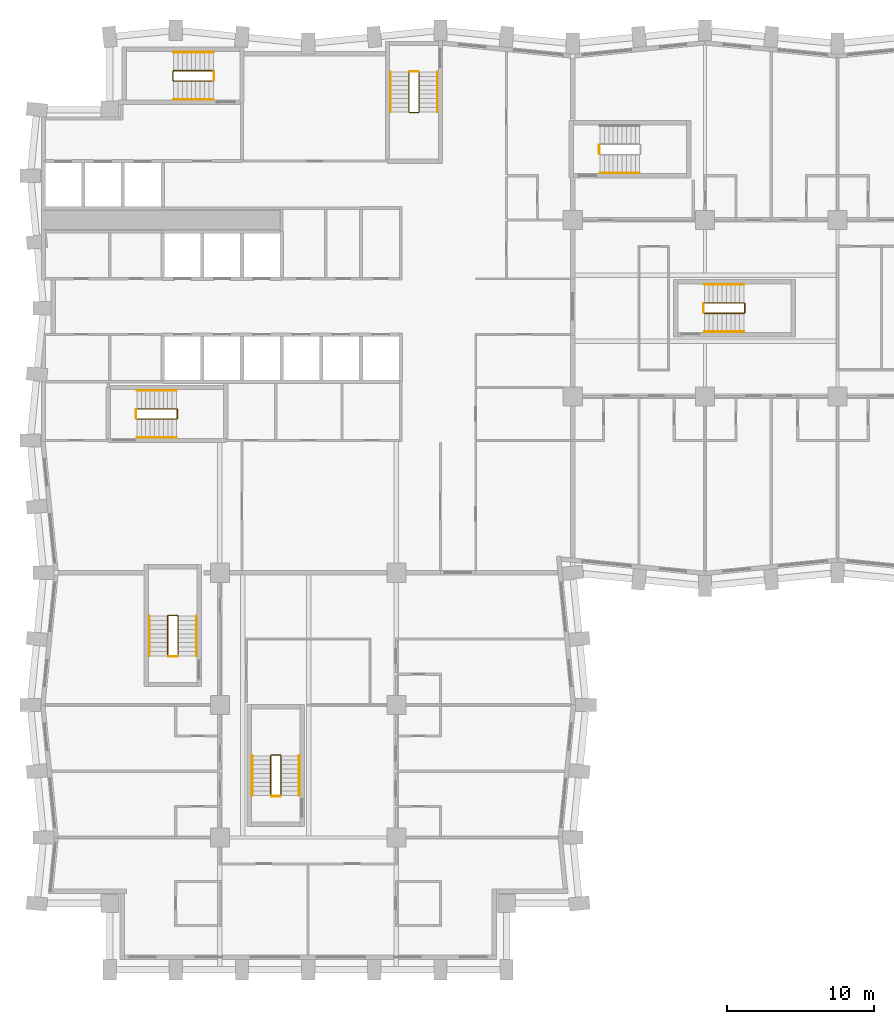
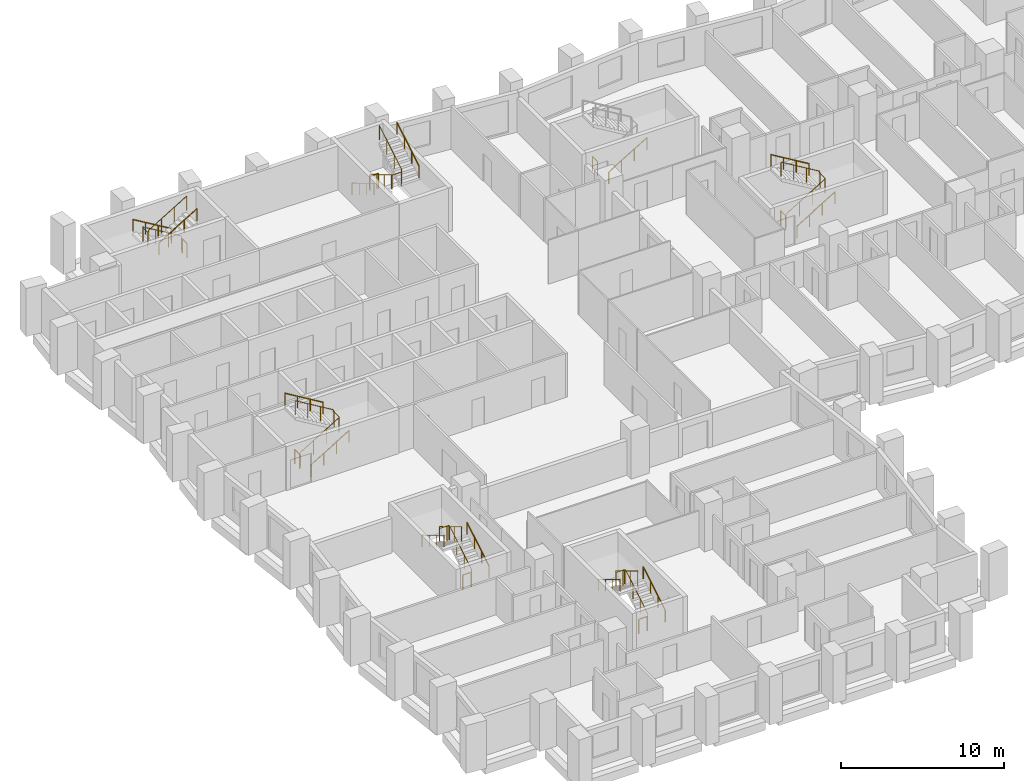
# One storey, part 12 of 13: 26 railings.
"""IFC4 building model written with IfcOpenShell, lengths in metres."""

from ifc_helpers import new_model, si_unit, direction, frame, origin, origin_2d, place, context, subcontext, project, spatial, circle, extrude, material, type_object, element, save


model = new_model("IFC4")

# Units and contexts
model_context = context("Model", 3, precision=1e-05, world=origin(), true_north=direction((0.0, 1.0)))
body_context = subcontext(model_context, "Body", "Model", "MODEL_VIEW")
ifc_project = project(units=[si_unit("LENGTHUNIT", "METRE"), si_unit("AREAUNIT", "SQUARE_METRE"), si_unit("VOLUMEUNIT", "CUBIC_METRE"), si_unit("PLANEANGLEUNIT", "RADIAN"), si_unit("MASSUNIT", "GRAM", prefix="KILO")], contexts=[model_context])

# Site, building, storey
site_placement = place(None, origin())
site = spatial("IfcSite", under=ifc_project, at=site_placement, CompositionType="ELEMENT")
building_placement = place(site_placement, origin())
building = spatial("IfcBuilding", under=site, at=building_placement, Name="Brondeck Convention Tower", CompositionType="ELEMENT")
storey_placement = place(building_placement, frame((0.0, 0.0, 44.699951171875)))
storey = spatial("IfcBuildingStorey", under=building, at=storey_placement, Name="L08", CompositionType="ELEMENT", Elevation=44.699951171875)

# Railings
ifc_material = material(Name="Steel S355", Category="steel")
railing_type_1 = type_object("IfcRailingType", Name="Stair guard 1100", PredefinedType="GUARDRAIL", material=ifc_material)
railing_1_placement = place(storey_placement, frame((6.35009765625, 37.449951171875, 0.179931640625)))
element("IfcRailing", 1, at=railing_1_placement, inside=storey, type_object=railing_type_1, Name="L08 ST-1 stair guard 1", PredefinedType="GUARDRAIL", context=body_context, shape_type="SweptSolid", body=[
    extrude(circle(Radius=0.02392578125, at=origin_2d()), frame((0.0, 0.0, 1.076171875), z_axis=(0.857472400752, 0.0, 0.514529962148), x_axis=(0.0, 1.0, 0.0)), (0.0, 0.0, 1.0), 3.148681640625),
    extrude(circle(Radius=0.02392578125, at=origin_2d()), frame((2.699951171875, 0.0, 2.6962890625), z_axis=(0.707106781187, 0.707106781187, 0.0), x_axis=(-0.707106781187, 0.707106781187, 0.0)), (0.0, 0.0, 1.0), 0.07080078125),
    extrude(circle(Radius=0.02392578125, at=origin_2d()), frame((2.75, 0.050048828125, 2.6962890625), z_axis=(0.0, 1.0, 0.0), x_axis=(-1.0, 0.0, 0.0)), (0.0, 0.0, 1.0), 0.60009765625),
    extrude(circle(Radius=0.02392578125, at=origin_2d()), frame((2.75, 0.650146484375, 2.6962890625), z_axis=(-0.258932105505, 0.257669022063, 0.930892496375), x_axis=(-0.705375805398, -0.708833529934, 0.0)), (0.0, 0.0, 1.0), 0.193359375),
    extrude(circle(Radius=0.02392578125, at=origin_2d()), frame((2.699951171875, 0.699951171875, 2.8759765625), z_axis=(-0.857472400752, 0.0, 0.514529962148), x_axis=(0.0, -1.0, 0.0)), (0.0, 0.0, 1.0), 3.148681640625),
    extrude(circle(Radius=0.02099609375, at=origin_2d()), origin(), (0.0, 0.0, 1.0), 1.052001953125),
    extrude(circle(Radius=0.02099609375, at=origin_2d()), frame((0.89990234375, 0.0, 0.5400390625)), (0.0, 0.0, 1.0), 1.052001953125),
    extrude(circle(Radius=0.02099609375, at=origin_2d()), frame((1.800048828125, 0.0, 1.080078125)), (0.0, 0.0, 1.0), 1.052001953125),
    extrude(circle(Radius=0.02099609375, at=origin_2d()), frame((2.699951171875, 0.0, 1.6201171875)), (0.0, 0.0, 1.0), 1.052001953125),
    extrude(circle(Radius=0.02099609375, at=origin_2d()), frame((2.75, 0.050048828125, 1.6201171875)), (0.0, 0.0, 1.0), 1.052001953125),
    extrude(circle(Radius=0.02099609375, at=origin_2d()), frame((2.75, 0.650146484375, 1.6201171875)), (0.0, 0.0, 1.0), 1.052001953125),
    extrude(circle(Radius=0.02099609375, at=origin_2d()), frame((2.699951171875, 0.699951171875, 1.800048828125)), (0.0, 0.0, 1.0), 1.052001953125),
    extrude(circle(Radius=0.02099609375, at=origin_2d()), frame((1.800048828125, 0.699951171875, 2.340087890625)), (0.0, 0.0, 1.0), 1.052001953125),
    extrude(circle(Radius=0.02099609375, at=origin_2d()), frame((0.89990234375, 0.699951171875, 2.880126953125)), (0.0, 0.0, 1.0), 1.052001953125),
    extrude(circle(Radius=0.02099609375, at=origin_2d()), frame((0.0, 0.699951171875, 3.420166015625)), (0.0, 0.0, 1.0), 1.052001953125),
])
railing_2_placement = place(storey_placement, frame((6.300048828125, 37.5, 0.0)))
element("IfcRailing", 2, at=railing_2_placement, inside=storey, type_object=railing_type_1, Name="L08 ST-1 stair guard 2", PredefinedType="GUARDRAIL", context=body_context, shape_type="SweptSolid", body=[
    extrude(circle(Radius=0.02392578125, at=origin_2d()), frame((0.0, 0.0, 1.076171875), z_axis=(0.0, 1.0, 0.0), x_axis=(-1.0, 0.0, 0.0)), (0.0, 0.0, 1.0), 0.60009765625),
    extrude(circle(Radius=0.02099609375, at=origin_2d()), origin(), (0.0, 0.0, 1.0), 1.052001953125),
    extrude(circle(Radius=0.02099609375, at=origin_2d()), frame((0.0, 0.60009765625, 0.0)), (0.0, 0.0, 1.0), 1.052001953125),
])
railing_3_placement = place(storey_placement, frame((24.85009765625, 61.050048828125, 0.179931640625)))
element("IfcRailing", 3, at=railing_3_placement, inside=storey, type_object=railing_type_1, Name="L08 ST-2 stair guard 1", PredefinedType="GUARDRAIL", context=body_context, shape_type="SweptSolid", body=[
    extrude(circle(Radius=0.02392578125, at=origin_2d()), frame((0.0, 0.0, 1.076171875), z_axis=(0.0, -0.857472400752, 0.514529962148), x_axis=(1.0, 0.0, 0.0)), (0.0, 0.0, 1.0), 3.148681640625),
    extrude(circle(Radius=0.02392578125, at=origin_2d()), frame((0.0, -2.699951171875, 2.6962890625), z_axis=(0.705375805398, -0.708833529934, 0.0), x_axis=(0.708833529934, 0.705375805398, 0.0)), (0.0, 0.0, 1.0), 0.070556640625),
    extrude(circle(Radius=0.02392578125, at=origin_2d()), frame((0.0498046875, -2.75, 2.6962890625), z_axis=(1.0, 0.0, 0.0), x_axis=(0.0, 1.0, 0.0)), (0.0, 0.0, 1.0), 0.60009765625),
    extrude(circle(Radius=0.02392578125, at=origin_2d()), frame((0.64990234375, -2.75, 2.6962890625), z_axis=(0.258847668887, 0.258847668887, 0.930588936439), x_axis=(-0.707106781187, 0.707106781187, 0.0)), (0.0, 0.0, 1.0), 0.193359375),
    extrude(circle(Radius=0.02392578125, at=origin_2d()), frame((0.699951171875, -2.699951171875, 2.8759765625), z_axis=(0.0, 0.857472400752, 0.514529962148), x_axis=(-1.0, 0.0, 0.0)), (0.0, 0.0, 1.0), 3.148681640625),
    extrude(circle(Radius=0.02099609375, at=origin_2d()), origin(), (0.0, 0.0, 1.0), 1.052001953125),
    extrude(circle(Radius=0.02099609375, at=origin_2d()), frame((0.0, -0.89990234375, 0.5400390625)), (0.0, 0.0, 1.0), 1.052001953125),
    extrude(circle(Radius=0.02099609375, at=origin_2d()), frame((0.0, -1.800048828125, 1.080078125)), (0.0, 0.0, 1.0), 1.052001953125),
    extrude(circle(Radius=0.02099609375, at=origin_2d()), frame((0.0, -2.699951171875, 1.6201171875)), (0.0, 0.0, 1.0), 1.052001953125),
    extrude(circle(Radius=0.02099609375, at=origin_2d()), frame((0.0498046875, -2.75, 1.6201171875)), (0.0, 0.0, 1.0), 1.052001953125),
    extrude(circle(Radius=0.02099609375, at=origin_2d()), frame((0.64990234375, -2.75, 1.6201171875)), (0.0, 0.0, 1.0), 1.052001953125),
    extrude(circle(Radius=0.02099609375, at=origin_2d()), frame((0.699951171875, -2.699951171875, 1.800048828125)), (0.0, 0.0, 1.0), 1.052001953125),
    extrude(circle(Radius=0.02099609375, at=origin_2d()), frame((0.699951171875, -1.800048828125, 2.340087890625)), (0.0, 0.0, 1.0), 1.052001953125),
    extrude(circle(Radius=0.02099609375, at=origin_2d()), frame((0.699951171875, -0.89990234375, 2.880126953125)), (0.0, 0.0, 1.0), 1.052001953125),
    extrude(circle(Radius=0.02099609375, at=origin_2d()), frame((0.699951171875, 0.0, 3.420166015625)), (0.0, 0.0, 1.0), 1.052001953125),
])
railing_4_placement = place(storey_placement, frame((24.89990234375, 61.10009765625, 0.0)))
element("IfcRailing", 4, at=railing_4_placement, inside=storey, type_object=railing_type_1, Name="L08 ST-2 stair guard 2", PredefinedType="GUARDRAIL", context=body_context, shape_type="SweptSolid", body=[
    extrude(circle(Radius=0.02392578125, at=origin_2d()), frame((0.0, 0.0, 1.076171875), z_axis=(1.0, 0.0, 0.0), x_axis=(0.0, 1.0, 0.0)), (0.0, 0.0, 1.0), 0.60009765625),
    extrude(circle(Radius=0.02099609375, at=origin_2d()), origin(), (0.0, 0.0, 1.0), 1.052001953125),
    extrude(circle(Radius=0.02099609375, at=origin_2d()), frame((0.60009765625, 0.0, 0.0)), (0.0, 0.0, 1.0), 1.052001953125),
])
railing_5_placement = place(storey_placement, frame((11.550048828125, 61.14990234375, 0.179931640625)))
element("IfcRailing", 5, at=railing_5_placement, inside=storey, type_object=railing_type_1, Name="L08 ST-3 stair guard 1", PredefinedType="GUARDRAIL", context=body_context, shape_type="SweptSolid", body=[
    extrude(circle(Radius=0.02392578125, at=origin_2d()), frame((0.0, 0.0, 1.076171875), z_axis=(-0.857472400752, 0.0, 0.514529962148), x_axis=(0.0, -1.0, 0.0)), (0.0, 0.0, 1.0), 3.148681640625),
    extrude(circle(Radius=0.02392578125, at=origin_2d()), frame((-2.699951171875, 0.0, 2.6962890625), z_axis=(-0.708833529934, -0.705375805398, 0.0), x_axis=(0.705375805398, -0.708833529934, 0.0)), (0.0, 0.0, 1.0), 0.070556640625),
    extrude(circle(Radius=0.02392578125, at=origin_2d()), frame((-2.75, -0.0498046875, 2.6962890625), z_axis=(0.0, -1.0, 0.0), x_axis=(1.0, 0.0, 0.0)), (0.0, 0.0, 1.0), 0.60009765625),
    extrude(circle(Radius=0.02392578125, at=origin_2d()), frame((-2.75, -0.64990234375, 2.6962890625), z_axis=(0.258847668887, -0.258847668887, 0.930588936439), x_axis=(0.707106781187, 0.707106781187, 0.0)), (0.0, 0.0, 1.0), 0.193359375),
    extrude(circle(Radius=0.02392578125, at=origin_2d()), frame((-2.699951171875, -0.699951171875, 2.8759765625), z_axis=(0.857472400752, 0.0, 0.514529962148), x_axis=(0.0, 1.0, 0.0)), (0.0, 0.0, 1.0), 3.148681640625),
    extrude(circle(Radius=0.02099609375, at=origin_2d()), origin(), (0.0, 0.0, 1.0), 1.052001953125),
    extrude(circle(Radius=0.02099609375, at=origin_2d()), frame((-0.89990234375, 0.0, 0.5400390625)), (0.0, 0.0, 1.0), 1.052001953125),
    extrude(circle(Radius=0.02099609375, at=origin_2d()), frame((-1.800048828125, 0.0, 1.080078125)), (0.0, 0.0, 1.0), 1.052001953125),
    extrude(circle(Radius=0.02099609375, at=origin_2d()), frame((-2.699951171875, 0.0, 1.6201171875)), (0.0, 0.0, 1.0), 1.052001953125),
    extrude(circle(Radius=0.02099609375, at=origin_2d()), frame((-2.75, -0.0498046875, 1.6201171875)), (0.0, 0.0, 1.0), 1.052001953125),
    extrude(circle(Radius=0.02099609375, at=origin_2d()), frame((-2.75, -0.64990234375, 1.6201171875)), (0.0, 0.0, 1.0), 1.052001953125),
    extrude(circle(Radius=0.02099609375, at=origin_2d()), frame((-2.699951171875, -0.699951171875, 1.800048828125)), (0.0, 0.0, 1.0), 1.052001953125),
    extrude(circle(Radius=0.02099609375, at=origin_2d()), frame((-1.800048828125, -0.699951171875, 2.340087890625)), (0.0, 0.0, 1.0), 1.052001953125),
    extrude(circle(Radius=0.02099609375, at=origin_2d()), frame((-0.89990234375, -0.699951171875, 2.880126953125)), (0.0, 0.0, 1.0), 1.052001953125),
    extrude(circle(Radius=0.02099609375, at=origin_2d()), frame((0.0, -0.699951171875, 3.420166015625)), (0.0, 0.0, 1.0), 1.052001953125),
])
railing_6_placement = place(storey_placement, frame((11.60009765625, 61.10009765625, 0.0)))
element("IfcRailing", 6, at=railing_6_placement, inside=storey, type_object=railing_type_1, Name="L08 ST-3 stair guard 2", PredefinedType="GUARDRAIL", context=body_context, shape_type="SweptSolid", body=[
    extrude(circle(Radius=0.02392578125, at=origin_2d()), frame((0.0, 0.0, 1.076171875), z_axis=(0.0, -1.0, 0.0), x_axis=(1.0, 0.0, 0.0)), (0.0, 0.0, 1.0), 0.60009765625),
    extrude(circle(Radius=0.02099609375, at=origin_2d()), origin(), (0.0, 0.0, 1.0), 1.052001953125),
    extrude(circle(Radius=0.02099609375, at=origin_2d()), frame((0.0, -0.60009765625, 0.0)), (0.0, 0.0, 1.0), 1.052001953125),
])
railing_7_placement = place(storey_placement, frame((37.800048828125, 55.5, 0.0)))
element("IfcRailing", 7, at=railing_7_placement, inside=storey, type_object=railing_type_1, Name="L08 ST-AE stair guard 2", PredefinedType="GUARDRAIL", context=body_context, shape_type="SweptSolid", body=[
    extrude(circle(Radius=0.02392578125, at=origin_2d()), frame((0.0, 0.0, 1.076171875), z_axis=(0.0, 1.0, 0.0), x_axis=(-1.0, 0.0, 0.0)), (0.0, 0.0, 1.0), 0.60009765625),
    extrude(circle(Radius=0.02099609375, at=origin_2d()), origin(), (0.0, 0.0, 1.0), 1.052001953125),
    extrude(circle(Radius=0.02099609375, at=origin_2d()), frame((0.0, 0.60009765625, 0.0)), (0.0, 0.0, 1.0), 1.052001953125),
])
railing_8_placement = place(storey_placement, frame((9.14990234375, 21.35009765625, 0.179931640625)))
element("IfcRailing", 8, at=railing_8_placement, inside=storey, type_object=railing_type_1, Name="L08 ST-BE stair guard 1", PredefinedType="GUARDRAIL", context=body_context, shape_type="SweptSolid", body=[
    extrude(circle(Radius=0.02392578125, at=origin_2d()), frame((0.0, 0.0, 1.076171875), z_axis=(0.0, 0.857472400752, 0.514529962148), x_axis=(-1.0, 0.0, 0.0)), (0.0, 0.0, 1.0), 3.148681640625),
    extrude(circle(Radius=0.02392578125, at=origin_2d()), frame((0.0, 2.699951171875, 2.6962890625), z_axis=(-0.705375805398, 0.708833529934, 0.0), x_axis=(-0.708833529934, -0.705375805398, 0.0)), (0.0, 0.0, 1.0), 0.070556640625),
    extrude(circle(Radius=0.02392578125, at=origin_2d()), frame((-0.0498046875, 2.75, 2.6962890625), z_axis=(-1.0, 0.0, 0.0), x_axis=(0.0, -1.0, 0.0)), (0.0, 0.0, 1.0), 0.60009765625),
    extrude(circle(Radius=0.02392578125, at=origin_2d()), frame((-0.64990234375, 2.75, 2.6962890625), z_axis=(-0.258847668887, -0.258847668887, 0.930588936439), x_axis=(0.707106781187, -0.707106781187, 0.0)), (0.0, 0.0, 1.0), 0.193359375),
    extrude(circle(Radius=0.02392578125, at=origin_2d()), frame((-0.699951171875, 2.699951171875, 2.8759765625), z_axis=(0.0, -0.857472400752, 0.514529962148), x_axis=(1.0, 0.0, 0.0)), (0.0, 0.0, 1.0), 3.148681640625),
    extrude(circle(Radius=0.02099609375, at=origin_2d()), origin(), (0.0, 0.0, 1.0), 1.052001953125),
    extrude(circle(Radius=0.02099609375, at=origin_2d()), frame((0.0, 0.89990234375, 0.5400390625)), (0.0, 0.0, 1.0), 1.052001953125),
    extrude(circle(Radius=0.02099609375, at=origin_2d()), frame((0.0, 1.800048828125, 1.080078125)), (0.0, 0.0, 1.0), 1.052001953125),
    extrude(circle(Radius=0.02099609375, at=origin_2d()), frame((0.0, 2.699951171875, 1.6201171875)), (0.0, 0.0, 1.0), 1.052001953125),
    extrude(circle(Radius=0.02099609375, at=origin_2d()), frame((-0.0498046875, 2.75, 1.6201171875)), (0.0, 0.0, 1.0), 1.052001953125),
    extrude(circle(Radius=0.02099609375, at=origin_2d()), frame((-0.64990234375, 2.75, 1.6201171875)), (0.0, 0.0, 1.0), 1.052001953125),
    extrude(circle(Radius=0.02099609375, at=origin_2d()), frame((-0.699951171875, 2.699951171875, 1.800048828125)), (0.0, 0.0, 1.0), 1.052001953125),
    extrude(circle(Radius=0.02099609375, at=origin_2d()), frame((-0.699951171875, 1.800048828125, 2.340087890625)), (0.0, 0.0, 1.0), 1.052001953125),
    extrude(circle(Radius=0.02099609375, at=origin_2d()), frame((-0.699951171875, 0.89990234375, 2.880126953125)), (0.0, 0.0, 1.0), 1.052001953125),
    extrude(circle(Radius=0.02099609375, at=origin_2d()), frame((-0.699951171875, 0.0, 3.420166015625)), (0.0, 0.0, 1.0), 1.052001953125),
])
railing_9_placement = place(storey_placement, frame((9.10009765625, 21.300048828125, 0.0)))
element("IfcRailing", 9, at=railing_9_placement, inside=storey, type_object=railing_type_1, Name="L08 ST-BE stair guard 2", PredefinedType="GUARDRAIL", context=body_context, shape_type="SweptSolid", body=[
    extrude(circle(Radius=0.02392578125, at=origin_2d()), frame((0.0, 0.0, 1.076171875), z_axis=(-1.0, 0.0, 0.0), x_axis=(0.0, -1.0, 0.0)), (0.0, 0.0, 1.0), 0.60009765625),
    extrude(circle(Radius=0.02099609375, at=origin_2d()), origin(), (0.0, 0.0, 1.0), 1.052001953125),
    extrude(circle(Radius=0.02099609375, at=origin_2d()), frame((-0.60009765625, 0.0, 0.0)), (0.0, 0.0, 1.0), 1.052001953125),
])
railing_10_placement = place(storey_placement, frame((44.949951171875, 44.64990234375, 0.179931640625)))
element("IfcRailing", 10, at=railing_10_placement, inside=storey, type_object=railing_type_1, Name="L08 ST-AF stair guard 1", PredefinedType="GUARDRAIL", context=body_context, shape_type="SweptSolid", body=[
    extrude(circle(Radius=0.02392578125, at=origin_2d()), frame((0.0, 0.0, 1.076171875), z_axis=(0.857472400752, 0.0, 0.514529962148), x_axis=(0.0, 1.0, 0.0)), (0.0, 0.0, 1.0), 3.148681640625),
    extrude(circle(Radius=0.02392578125, at=origin_2d()), frame((2.699951171875, 0.0, 2.6962890625), z_axis=(0.707106781187, 0.707106781187, 0.0), x_axis=(-0.707106781187, 0.707106781187, 0.0)), (0.0, 0.0, 1.0), 0.07080078125),
    extrude(circle(Radius=0.02392578125, at=origin_2d()), frame((2.75, 0.050048828125, 2.6962890625), z_axis=(0.0, 1.0, 0.0), x_axis=(-1.0, 0.0, 0.0)), (0.0, 0.0, 1.0), 0.60009765625),
    extrude(circle(Radius=0.02392578125, at=origin_2d()), frame((2.75, 0.650146484375, 2.6962890625), z_axis=(-0.258847668887, 0.258847668887, 0.930588936439), x_axis=(-0.707106781187, -0.707106781187, 0.0)), (0.0, 0.0, 1.0), 0.193359375),
    extrude(circle(Radius=0.02392578125, at=origin_2d()), frame((2.699951171875, 0.7001953125, 2.8759765625), z_axis=(-0.857472400752, 0.0, 0.514529962148), x_axis=(0.0, -1.0, 0.0)), (0.0, 0.0, 1.0), 3.148681640625),
    extrude(circle(Radius=0.02099609375, at=origin_2d()), origin(), (0.0, 0.0, 1.0), 1.052001953125),
    extrude(circle(Radius=0.02099609375, at=origin_2d()), frame((0.89990234375, 0.0, 0.5400390625)), (0.0, 0.0, 1.0), 1.052001953125),
    extrude(circle(Radius=0.02099609375, at=origin_2d()), frame((1.800048828125, 0.0, 1.080078125)), (0.0, 0.0, 1.0), 1.052001953125),
    extrude(circle(Radius=0.02099609375, at=origin_2d()), frame((2.699951171875, 0.0, 1.6201171875)), (0.0, 0.0, 1.0), 1.052001953125),
    extrude(circle(Radius=0.02099609375, at=origin_2d()), frame((2.75, 0.050048828125, 1.6201171875)), (0.0, 0.0, 1.0), 1.052001953125),
    extrude(circle(Radius=0.02099609375, at=origin_2d()), frame((2.75, 0.650146484375, 1.6201171875)), (0.0, 0.0, 1.0), 1.052001953125),
    extrude(circle(Radius=0.02099609375, at=origin_2d()), frame((2.699951171875, 0.7001953125, 1.800048828125)), (0.0, 0.0, 1.0), 1.052001953125),
    extrude(circle(Radius=0.02099609375, at=origin_2d()), frame((1.800048828125, 0.7001953125, 2.340087890625)), (0.0, 0.0, 1.0), 1.052001953125),
    extrude(circle(Radius=0.02099609375, at=origin_2d()), frame((0.89990234375, 0.7001953125, 2.880126953125)), (0.0, 0.0, 1.0), 1.052001953125),
    extrude(circle(Radius=0.02099609375, at=origin_2d()), frame((0.0, 0.7001953125, 3.420166015625)), (0.0, 0.0, 1.0), 1.052001953125),
])
railing_11_placement = place(storey_placement, frame((44.89990234375, 44.699951171875, 0.0)))
element("IfcRailing", 11, at=railing_11_placement, inside=storey, type_object=railing_type_1, Name="L08 ST-AF stair guard 2", PredefinedType="GUARDRAIL", context=body_context, shape_type="SweptSolid", body=[
    extrude(circle(Radius=0.02392578125, at=origin_2d()), frame((0.0, 0.0, 1.076171875), z_axis=(0.0, 1.0, 0.0), x_axis=(-1.0, 0.0, 0.0)), (0.0, 0.0, 1.0), 0.60009765625),
    extrude(circle(Radius=0.02099609375, at=origin_2d()), origin(), (0.0, 0.0, 1.0), 1.052001953125),
    extrude(circle(Radius=0.02099609375, at=origin_2d()), frame((0.0, 0.60009765625, 0.0)), (0.0, 0.0, 1.0), 1.052001953125),
])
railing_12_placement = place(storey_placement, frame((16.14990234375, 11.85009765625, 0.179931640625)))
element("IfcRailing", 12, at=railing_12_placement, inside=storey, type_object=railing_type_1, Name="L08 ST-BF stair guard 1", PredefinedType="GUARDRAIL", context=body_context, shape_type="SweptSolid", body=[
    extrude(circle(Radius=0.02392578125, at=origin_2d()), frame((0.0, 0.0, 1.076171875), z_axis=(0.0, 0.857472400752, 0.514529962148), x_axis=(-1.0, 0.0, 0.0)), (0.0, 0.0, 1.0), 3.148681640625),
    extrude(circle(Radius=0.02392578125, at=origin_2d()), frame((0.0, 2.699951171875, 2.6962890625), z_axis=(-0.705375805398, 0.708833529934, 0.0), x_axis=(-0.708833529934, -0.705375805398, 0.0)), (0.0, 0.0, 1.0), 0.070556640625),
    extrude(circle(Radius=0.02392578125, at=origin_2d()), frame((-0.0498046875, 2.75, 2.6962890625), z_axis=(-1.0, 0.0, 0.0), x_axis=(0.0, -1.0, 0.0)), (0.0, 0.0, 1.0), 0.60009765625),
    extrude(circle(Radius=0.02392578125, at=origin_2d()), frame((-0.64990234375, 2.75, 2.6962890625), z_axis=(-0.258847668887, -0.258847668887, 0.930588936439), x_axis=(0.707106781187, -0.707106781187, 0.0)), (0.0, 0.0, 1.0), 0.193359375),
    extrude(circle(Radius=0.02392578125, at=origin_2d()), frame((-0.699951171875, 2.699951171875, 2.8759765625), z_axis=(0.0, -0.857472400752, 0.514529962148), x_axis=(1.0, 0.0, 0.0)), (0.0, 0.0, 1.0), 3.148681640625),
    extrude(circle(Radius=0.02099609375, at=origin_2d()), origin(), (0.0, 0.0, 1.0), 1.052001953125),
    extrude(circle(Radius=0.02099609375, at=origin_2d()), frame((0.0, 0.89990234375, 0.5400390625)), (0.0, 0.0, 1.0), 1.052001953125),
    extrude(circle(Radius=0.02099609375, at=origin_2d()), frame((0.0, 1.800048828125, 1.080078125)), (0.0, 0.0, 1.0), 1.052001953125),
    extrude(circle(Radius=0.02099609375, at=origin_2d()), frame((0.0, 2.699951171875, 1.6201171875)), (0.0, 0.0, 1.0), 1.052001953125),
    extrude(circle(Radius=0.02099609375, at=origin_2d()), frame((-0.0498046875, 2.75, 1.6201171875)), (0.0, 0.0, 1.0), 1.052001953125),
    extrude(circle(Radius=0.02099609375, at=origin_2d()), frame((-0.64990234375, 2.75, 1.6201171875)), (0.0, 0.0, 1.0), 1.052001953125),
    extrude(circle(Radius=0.02099609375, at=origin_2d()), frame((-0.699951171875, 2.699951171875, 1.800048828125)), (0.0, 0.0, 1.0), 1.052001953125),
    extrude(circle(Radius=0.02099609375, at=origin_2d()), frame((-0.699951171875, 1.800048828125, 2.340087890625)), (0.0, 0.0, 1.0), 1.052001953125),
    extrude(circle(Radius=0.02099609375, at=origin_2d()), frame((-0.699951171875, 0.89990234375, 2.880126953125)), (0.0, 0.0, 1.0), 1.052001953125),
    extrude(circle(Radius=0.02099609375, at=origin_2d()), frame((-0.699951171875, 0.0, 3.420166015625)), (0.0, 0.0, 1.0), 1.052001953125),
])
railing_13_placement = place(storey_placement, frame((16.10009765625, 11.800048828125, 0.0)))
element("IfcRailing", 13, at=railing_13_placement, inside=storey, type_object=railing_type_1, Name="L08 ST-BF stair guard 2", PredefinedType="GUARDRAIL", context=body_context, shape_type="SweptSolid", body=[
    extrude(circle(Radius=0.02392578125, at=origin_2d()), frame((0.0, 0.0, 1.076171875), z_axis=(-1.0, 0.0, 0.0), x_axis=(0.0, -1.0, 0.0)), (0.0, 0.0, 1.0), 0.60009765625),
    extrude(circle(Radius=0.02099609375, at=origin_2d()), origin(), (0.0, 0.0, 1.0), 1.052001953125),
    extrude(circle(Radius=0.02099609375, at=origin_2d()), frame((-0.60009765625, 0.0, 0.0)), (0.0, 0.0, 1.0), 1.052001953125),
])
railing_type_2 = type_object("IfcRailingType", Name="Stair handrail", PredefinedType="HANDRAIL", material=ifc_material)
railing_14_placement = place(storey_placement, frame((6.35009765625, 36.199951171875, 0.179931640625)))
element("IfcRailing", 14, at=railing_14_placement, inside=storey, type_object=railing_type_2, Name="L08 ST-1 stair handrail 1", PredefinedType="HANDRAIL", context=body_context, shape_type="SweptSolid", body=[
    extrude(circle(Radius=0.02392578125, at=origin_2d()), frame((0.0, 0.0, 0.8759765625), z_axis=(0.857472400752, 0.0, 0.514529962148), x_axis=(0.0, 1.0, 0.0)), (0.0, 0.0, 1.0), 3.148681640625),
    extrude(circle(Radius=0.02099609375, at=origin_2d()), origin(), (0.0, 0.0, 1.0), 0.851806640625),
    extrude(circle(Radius=0.02099609375, at=origin_2d()), frame((0.89990234375, 0.0, 0.5400390625)), (0.0, 0.0, 1.0), 0.851806640625),
    extrude(circle(Radius=0.02099609375, at=origin_2d()), frame((1.800048828125, 0.0, 1.080078125)), (0.0, 0.0, 1.0), 0.851806640625),
    extrude(circle(Radius=0.02099609375, at=origin_2d()), frame((2.699951171875, 0.0, 1.6201171875)), (0.0, 0.0, 1.0), 0.851806640625),
])
railing_15_placement = place(storey_placement, frame((9.050048828125, 39.39990234375, 1.97998046875)))
element("IfcRailing", 15, at=railing_15_placement, inside=storey, type_object=railing_type_2, Name="L08 ST-1 stair handrail 2", PredefinedType="HANDRAIL", context=body_context, shape_type="SweptSolid", body=[
    extrude(circle(Radius=0.02392578125, at=origin_2d()), frame((0.0, 0.0, 0.8759765625), z_axis=(-0.857472400752, 0.0, 0.514529962148), x_axis=(0.0, -1.0, 0.0)), (0.0, 0.0, 1.0), 3.148681640625),
    extrude(circle(Radius=0.02099609375, at=origin_2d()), origin(), (0.0, 0.0, 1.0), 0.851806640625),
    extrude(circle(Radius=0.02099609375, at=origin_2d()), frame((-0.89990234375, 0.0, 0.5400390625)), (0.0, 0.0, 1.0), 0.851806640625),
    extrude(circle(Radius=0.02099609375, at=origin_2d()), frame((-1.800048828125, 0.0, 1.080078125)), (0.0, 0.0, 1.0), 0.851806640625),
    extrude(circle(Radius=0.02099609375, at=origin_2d()), frame((-2.699951171875, 0.0, 1.6201171875)), (0.0, 0.0, 1.0), 0.851806640625),
])
railing_16_placement = place(storey_placement, frame((23.60009765625, 61.050048828125, 0.179931640625)))
element("IfcRailing", 16, at=railing_16_placement, inside=storey, type_object=railing_type_2, Name="L08 ST-2 stair handrail 1", PredefinedType="HANDRAIL", context=body_context, shape_type="SweptSolid", body=[
    extrude(circle(Radius=0.02392578125, at=origin_2d()), frame((0.0, 0.0, 0.8759765625), z_axis=(0.0, -0.857472400752, 0.514529962148), x_axis=(1.0, 0.0, 0.0)), (0.0, 0.0, 1.0), 3.148681640625),
    extrude(circle(Radius=0.02099609375, at=origin_2d()), origin(), (0.0, 0.0, 1.0), 0.851806640625),
    extrude(circle(Radius=0.02099609375, at=origin_2d()), frame((0.0, -0.89990234375, 0.5400390625)), (0.0, 0.0, 1.0), 0.851806640625),
    extrude(circle(Radius=0.02099609375, at=origin_2d()), frame((0.0, -1.800048828125, 1.080078125)), (0.0, 0.0, 1.0), 0.851806640625),
    extrude(circle(Radius=0.02099609375, at=origin_2d()), frame((0.0, -2.699951171875, 1.6201171875)), (0.0, 0.0, 1.0), 0.851806640625),
])
railing_17_placement = place(storey_placement, frame((26.800048828125, 58.35009765625, 1.97998046875)))
element("IfcRailing", 17, at=railing_17_placement, inside=storey, type_object=railing_type_2, Name="L08 ST-2 stair handrail 2", PredefinedType="HANDRAIL", context=body_context, shape_type="SweptSolid", body=[
    extrude(circle(Radius=0.02392578125, at=origin_2d()), frame((0.0, 0.0, 0.8759765625), z_axis=(0.0, 0.857472400752, 0.514529962148), x_axis=(-1.0, 0.0, 0.0)), (0.0, 0.0, 1.0), 3.148681640625),
    extrude(circle(Radius=0.02099609375, at=origin_2d()), origin(), (0.0, 0.0, 1.0), 0.851806640625),
    extrude(circle(Radius=0.02099609375, at=origin_2d()), frame((0.0, 0.89990234375, 0.5400390625)), (0.0, 0.0, 1.0), 0.851806640625),
    extrude(circle(Radius=0.02099609375, at=origin_2d()), frame((0.0, 1.800048828125, 1.080078125)), (0.0, 0.0, 1.0), 0.851806640625),
    extrude(circle(Radius=0.02099609375, at=origin_2d()), frame((0.0, 2.699951171875, 1.6201171875)), (0.0, 0.0, 1.0), 0.851806640625),
])
railing_18_placement = place(storey_placement, frame((11.550048828125, 62.39990234375, 0.179931640625)))
element("IfcRailing", 18, at=railing_18_placement, inside=storey, type_object=railing_type_2, Name="L08 ST-3 stair handrail 1", PredefinedType="HANDRAIL", context=body_context, shape_type="SweptSolid", body=[
    extrude(circle(Radius=0.02392578125, at=origin_2d()), frame((0.0, 0.0, 0.8759765625), z_axis=(-0.857472400752, 0.0, 0.514529962148), x_axis=(0.0, -1.0, 0.0)), (0.0, 0.0, 1.0), 3.148681640625),
    extrude(circle(Radius=0.02099609375, at=origin_2d()), origin(), (0.0, 0.0, 1.0), 0.851806640625),
    extrude(circle(Radius=0.02099609375, at=origin_2d()), frame((-0.89990234375, 0.0, 0.5400390625)), (0.0, 0.0, 1.0), 0.851806640625),
    extrude(circle(Radius=0.02099609375, at=origin_2d()), frame((-1.800048828125, 0.0, 1.080078125)), (0.0, 0.0, 1.0), 0.851806640625),
    extrude(circle(Radius=0.02099609375, at=origin_2d()), frame((-2.699951171875, 0.0, 1.6201171875)), (0.0, 0.0, 1.0), 0.851806640625),
])
for number, where, name in (
    (19, (8.85009765625, 59.199951171875, 1.97998046875), "L08 ST-3 stair handrail 2"),
    (20, (37.85009765625, 54.199951171875, 0.179931640625), "L08 ST-AE stair handrail 1"),
):
    element("IfcRailing", number, at=place(storey_placement, frame(where)), inside=storey, type_object=railing_type_2, Name=name, PredefinedType="HANDRAIL", context=body_context, shape_type="SweptSolid", body=[
        extrude(circle(Radius=0.02392578125, at=origin_2d()), frame((0.0, 0.0, 0.8759765625), z_axis=(0.857472400752, 0.0, 0.514529962148), x_axis=(0.0, 1.0, 0.0)), (0.0, 0.0, 1.0), 3.148681640625),
        extrude(circle(Radius=0.02099609375, at=origin_2d()), origin(), (0.0, 0.0, 1.0), 0.851806640625),
        extrude(circle(Radius=0.02099609375, at=origin_2d()), frame((0.89990234375, 0.0, 0.5400390625)), (0.0, 0.0, 1.0), 0.851806640625),
        extrude(circle(Radius=0.02099609375, at=origin_2d()), frame((1.800048828125, 0.0, 1.080078125)), (0.0, 0.0, 1.0), 0.851806640625),
        extrude(circle(Radius=0.02099609375, at=origin_2d()), frame((2.699951171875, 0.0, 1.6201171875)), (0.0, 0.0, 1.0), 0.851806640625),
    ])
railing_19_placement = place(storey_placement, frame((10.39990234375, 21.35009765625, 0.179931640625)))
element("IfcRailing", 21, at=railing_19_placement, inside=storey, type_object=railing_type_2, Name="L08 ST-BE stair handrail 1", PredefinedType="HANDRAIL", context=body_context, shape_type="SweptSolid", body=[
    extrude(circle(Radius=0.02392578125, at=origin_2d()), frame((0.0, 0.0, 0.8759765625), z_axis=(0.0, 0.857472400752, 0.514529962148), x_axis=(-1.0, 0.0, 0.0)), (0.0, 0.0, 1.0), 3.148681640625),
    extrude(circle(Radius=0.02099609375, at=origin_2d()), origin(), (0.0, 0.0, 1.0), 0.851806640625),
    extrude(circle(Radius=0.02099609375, at=origin_2d()), frame((0.0, 0.89990234375, 0.5400390625)), (0.0, 0.0, 1.0), 0.851806640625),
    extrude(circle(Radius=0.02099609375, at=origin_2d()), frame((0.0, 1.800048828125, 1.080078125)), (0.0, 0.0, 1.0), 0.851806640625),
    extrude(circle(Radius=0.02099609375, at=origin_2d()), frame((0.0, 2.699951171875, 1.6201171875)), (0.0, 0.0, 1.0), 0.851806640625),
])
railing_20_placement = place(storey_placement, frame((7.199951171875, 24.050048828125, 1.97998046875)))
element("IfcRailing", 22, at=railing_20_placement, inside=storey, type_object=railing_type_2, Name="L08 ST-BE stair handrail 2", PredefinedType="HANDRAIL", context=body_context, shape_type="SweptSolid", body=[
    extrude(circle(Radius=0.02392578125, at=origin_2d()), frame((0.0, 0.0, 0.8759765625), z_axis=(0.0, -0.857472400752, 0.514529962148), x_axis=(1.0, 0.0, 0.0)), (0.0, 0.0, 1.0), 3.148681640625),
    extrude(circle(Radius=0.02099609375, at=origin_2d()), origin(), (0.0, 0.0, 1.0), 0.851806640625),
    extrude(circle(Radius=0.02099609375, at=origin_2d()), frame((0.0, -0.89990234375, 0.5400390625)), (0.0, 0.0, 1.0), 0.851806640625),
    extrude(circle(Radius=0.02099609375, at=origin_2d()), frame((0.0, -1.800048828125, 1.080078125)), (0.0, 0.0, 1.0), 0.851806640625),
    extrude(circle(Radius=0.02099609375, at=origin_2d()), frame((0.0, -2.699951171875, 1.6201171875)), (0.0, 0.0, 1.0), 0.851806640625),
])
railing_21_placement = place(storey_placement, frame((44.949951171875, 43.39990234375, 0.179931640625)))
element("IfcRailing", 23, at=railing_21_placement, inside=storey, type_object=railing_type_2, Name="L08 ST-AF stair handrail 1", PredefinedType="HANDRAIL", context=body_context, shape_type="SweptSolid", body=[
    extrude(circle(Radius=0.02392578125, at=origin_2d()), frame((0.0, 0.0, 0.8759765625), z_axis=(0.857472400752, 0.0, 0.514529962148), x_axis=(0.0, 1.0, 0.0)), (0.0, 0.0, 1.0), 3.148681640625),
    extrude(circle(Radius=0.02099609375, at=origin_2d()), origin(), (0.0, 0.0, 1.0), 0.851806640625),
    extrude(circle(Radius=0.02099609375, at=origin_2d()), frame((0.89990234375, 0.0, 0.5400390625)), (0.0, 0.0, 1.0), 0.851806640625),
    extrude(circle(Radius=0.02099609375, at=origin_2d()), frame((1.800048828125, 0.0, 1.080078125)), (0.0, 0.0, 1.0), 0.851806640625),
    extrude(circle(Radius=0.02099609375, at=origin_2d()), frame((2.699951171875, 0.0, 1.6201171875)), (0.0, 0.0, 1.0), 0.851806640625),
])
railing_22_placement = place(storey_placement, frame((47.64990234375, 46.60009765625, 1.97998046875)))
element("IfcRailing", 24, at=railing_22_placement, inside=storey, type_object=railing_type_2, Name="L08 ST-AF stair handrail 2", PredefinedType="HANDRAIL", context=body_context, shape_type="SweptSolid", body=[
    extrude(circle(Radius=0.02392578125, at=origin_2d()), frame((0.0, 0.0, 0.8759765625), z_axis=(-0.857472400752, 0.0, 0.514529962148), x_axis=(0.0, -1.0, 0.0)), (0.0, 0.0, 1.0), 3.148681640625),
    extrude(circle(Radius=0.02099609375, at=origin_2d()), origin(), (0.0, 0.0, 1.0), 0.851806640625),
    extrude(circle(Radius=0.02099609375, at=origin_2d()), frame((-0.89990234375, 0.0, 0.5400390625)), (0.0, 0.0, 1.0), 0.851806640625),
    extrude(circle(Radius=0.02099609375, at=origin_2d()), frame((-1.800048828125, 0.0, 1.080078125)), (0.0, 0.0, 1.0), 0.851806640625),
    extrude(circle(Radius=0.02099609375, at=origin_2d()), frame((-2.699951171875, 0.0, 1.6201171875)), (0.0, 0.0, 1.0), 0.851806640625),
])
railing_23_placement = place(storey_placement, frame((17.39990234375, 11.85009765625, 0.179931640625)))
element("IfcRailing", 25, at=railing_23_placement, inside=storey, type_object=railing_type_2, Name="L08 ST-BF stair handrail 1", PredefinedType="HANDRAIL", context=body_context, shape_type="SweptSolid", body=[
    extrude(circle(Radius=0.02392578125, at=origin_2d()), frame((0.0, 0.0, 0.8759765625), z_axis=(0.0, 0.857472400752, 0.514529962148), x_axis=(-1.0, 0.0, 0.0)), (0.0, 0.0, 1.0), 3.148681640625),
    extrude(circle(Radius=0.02099609375, at=origin_2d()), origin(), (0.0, 0.0, 1.0), 0.851806640625),
    extrude(circle(Radius=0.02099609375, at=origin_2d()), frame((0.0, 0.89990234375, 0.5400390625)), (0.0, 0.0, 1.0), 0.851806640625),
    extrude(circle(Radius=0.02099609375, at=origin_2d()), frame((0.0, 1.800048828125, 1.080078125)), (0.0, 0.0, 1.0), 0.851806640625),
    extrude(circle(Radius=0.02099609375, at=origin_2d()), frame((0.0, 2.699951171875, 1.6201171875)), (0.0, 0.0, 1.0), 0.851806640625),
])
railing_24_placement = place(storey_placement, frame((14.199951171875, 14.550048828125, 1.97998046875)))
element("IfcRailing", 26, at=railing_24_placement, inside=storey, type_object=railing_type_2, Name="L08 ST-BF stair handrail 2", PredefinedType="HANDRAIL", context=body_context, shape_type="SweptSolid", body=[
    extrude(circle(Radius=0.02392578125, at=origin_2d()), frame((0.0, 0.0, 0.8759765625), z_axis=(0.0, -0.857472400752, 0.514529962148), x_axis=(1.0, 0.0, 0.0)), (0.0, 0.0, 1.0), 3.148681640625),
    extrude(circle(Radius=0.02099609375, at=origin_2d()), origin(), (0.0, 0.0, 1.0), 0.851806640625),
    extrude(circle(Radius=0.02099609375, at=origin_2d()), frame((0.0, -0.89990234375, 0.5400390625)), (0.0, 0.0, 1.0), 0.851806640625),
    extrude(circle(Radius=0.02099609375, at=origin_2d()), frame((0.0, -1.800048828125, 1.080078125)), (0.0, 0.0, 1.0), 0.851806640625),
    extrude(circle(Radius=0.02099609375, at=origin_2d()), frame((0.0, -2.699951171875, 1.6201171875)), (0.0, 0.0, 1.0), 0.851806640625),
])

save(model, "model.ifc")
